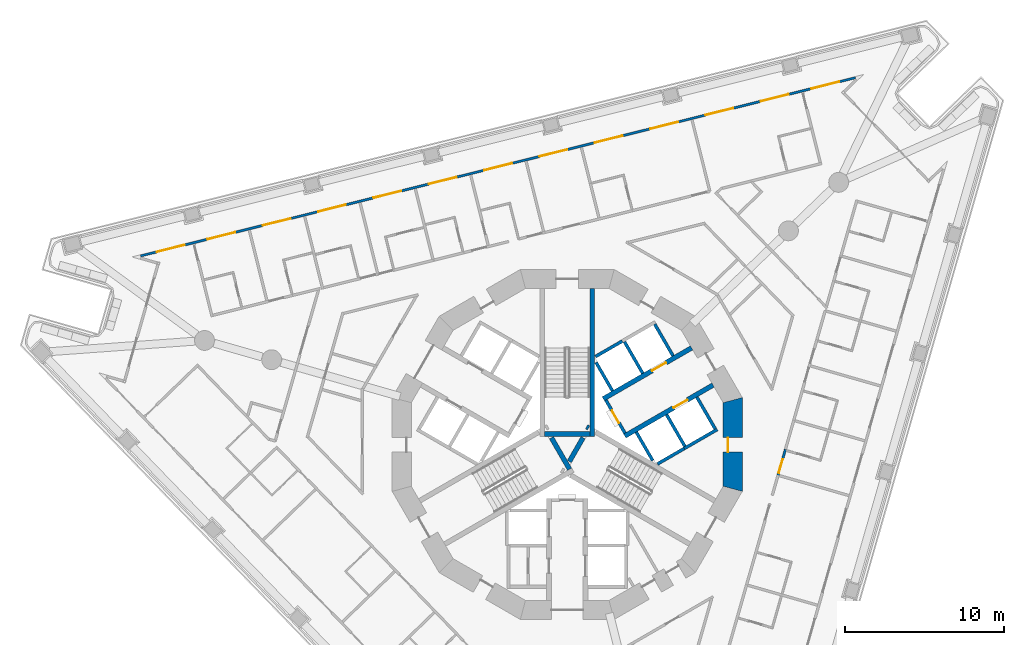
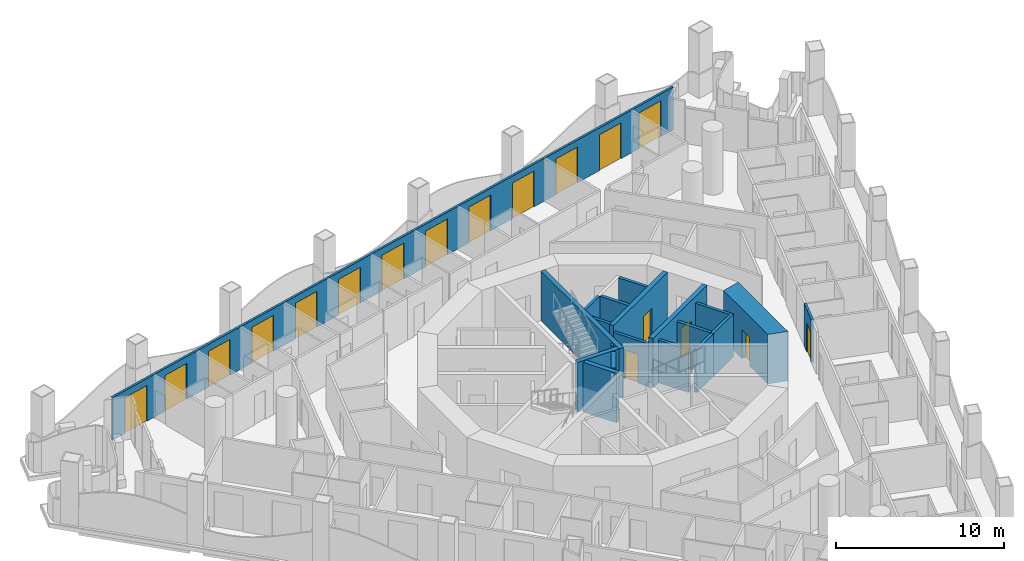
# One storey, part 9 of 20: 20 walls, 18 doors, 18 openings.
"""IFC4 building model written with IfcOpenShell, lengths in metres."""

from ifc_helpers import new_model, si_unit, direction, frame, frame_2d, origin, place, context, subcontext, project, spatial, polyline, rectangle, outline, extrude, material, layer, layer_set, type_object, element, fill, save


model = new_model("IFC4")

# Units and contexts
model_context = context("Model", 3, precision=1e-05, world=origin(), true_north=direction((0.0, 1.0)))
body_context = subcontext(model_context, "Body", "Model", "MODEL_VIEW")
ifc_project = project(units=[si_unit("LENGTHUNIT", "METRE"), si_unit("AREAUNIT", "SQUARE_METRE"), si_unit("VOLUMEUNIT", "CUBIC_METRE"), si_unit("PLANEANGLEUNIT", "RADIAN"), si_unit("MASSUNIT", "GRAM", prefix="KILO")], contexts=[model_context])

# Site, building, storey
site_placement = place(None, origin())
site = spatial("IfcSite", under=ifc_project, at=site_placement, CompositionType="ELEMENT")
building_placement = place(site_placement, origin())
building = spatial("IfcBuilding", under=site, at=building_placement, Name="Trine Commons Tower", CompositionType="ELEMENT")
storey_placement = place(building_placement, frame((0.0, 0.0, 116.10009765625)))
storey = spatial("IfcBuildingStorey", under=building, at=storey_placement, Name="L29", CompositionType="ELEMENT", Elevation=116.10009765625)

# Wall, openings, doors
ifc_material_1 = material(Name="Aluminium-framed insulated wall panel", Category="aluminium")
ifc_layer_1 = layer(ifc_material_1, 0.14990234375)
ifc_layer_set_1 = layer_set([ifc_layer_1], Name="Aluminium-framed insulated wall panel")
wall_type_1 = type_object("IfcWallType", Name="Glazed frame wall 150, EI 60", PredefinedType="SOLIDWALL", material=ifc_layer_set_1)
wall_1_placement = place(storey_placement, frame((53.01416015625, 74.326904296875, 0.0), z_axis=(0.0, 0.0, 1.0), x_axis=(0.970295935704, 0.24192105563, 0.0)))
wall_1 = element("IfcWall", 1, at=wall_1_placement, inside=storey, type_object=wall_type_1, Name="Glazed frame wall F1", PredefinedType="SOLIDWALL", context=body_context, shape_type="SweptSolid", body=[
    extrude(outline(polyline([(0.1494140625, 0.074951171875), (0.1494140625, -0.074951171875), (46.496826171875, -0.074951171875), (46.496826171875, 0.074951171875), (0.1494140625, 0.074951171875)])), origin(), (0.0, 0.0, 1.0), 3.099853515625),
])
opening_1_placement = place(wall_1_placement, frame((1.194091796875, 0.0, 0.0)))
opening_1 = element("IfcOpeningElement", 2, at=opening_1_placement, cuts=wall_1, Name="Opening BD-3F1-01", PredefinedType="OPENING", context=body_context, shape_type="SweptSolid", body=[
    extrude(rectangle(XDim=1.800048828125, YDim=2.60009765625, at=frame_2d((0.89990234375, 1.300048828125))), frame((0.0, 0.0849609375, 0.0), z_axis=(0.0, -1.0, 0.0), x_axis=(1.0, 0.0, 0.0)), (0.0, 0.0, 1.0), 0.169921875),
])
opening_2_placement = place(wall_1_placement, frame((4.482421875, 0.0, 0.0)))
opening_2 = element("IfcOpeningElement", 3, at=opening_2_placement, cuts=wall_1, Name="Opening BD-3F1-02", PredefinedType="OPENING", context=body_context, shape_type="SweptSolid", body=[
    extrude(rectangle(XDim=1.800048828125, YDim=2.60009765625, at=frame_2d((0.89990234375, 1.300048828125))), frame((0.0, 0.0849609375, 0.0), z_axis=(0.0, -1.0, 0.0), x_axis=(1.0, 0.0, 0.0)), (0.0, 0.0, 1.0), 0.169921875),
])
opening_3_placement = place(wall_1_placement, frame((8.070556640625, 0.0, 0.0)))
opening_3 = element("IfcOpeningElement", 4, at=opening_3_placement, cuts=wall_1, Name="Opening BD-3F1-03", PredefinedType="OPENING", context=body_context, shape_type="SweptSolid", body=[
    extrude(rectangle(XDim=1.800048828125, YDim=2.60009765625, at=frame_2d((0.89990234375, 1.300048828125))), frame((0.0, 0.0849609375, 0.0), z_axis=(0.0, -1.0, 0.0), x_axis=(1.0, 0.0, 0.0)), (0.0, 0.0, 1.0), 0.169921875),
])
opening_4_placement = place(wall_1_placement, frame((11.65869140625, 0.0, 0.0)))
opening_4 = element("IfcOpeningElement", 5, at=opening_4_placement, cuts=wall_1, Name="Opening BD-3F1-04", PredefinedType="OPENING", context=body_context, shape_type="SweptSolid", body=[
    extrude(rectangle(XDim=1.800048828125, YDim=2.60009765625, at=frame_2d((0.89990234375, 1.300048828125))), frame((0.0, 0.0849609375, 0.0), z_axis=(0.0, -1.0, 0.0), x_axis=(1.0, 0.0, 0.0)), (0.0, 0.0, 1.0), 0.169921875),
])
opening_5_placement = place(wall_1_placement, frame((15.246826171875, 0.0, 0.0)))
opening_5 = element("IfcOpeningElement", 6, at=opening_5_placement, cuts=wall_1, Name="Opening BD-3F1-05", PredefinedType="OPENING", context=body_context, shape_type="SweptSolid", body=[
    extrude(rectangle(XDim=1.800048828125, YDim=2.60009765625, at=frame_2d((0.89990234375, 1.300048828125))), frame((0.0, 0.0849609375, 0.0), z_axis=(0.0, -1.0, 0.0), x_axis=(1.0, 0.0, 0.0)), (0.0, 0.0, 1.0), 0.169921875),
])
opening_6_placement = place(wall_1_placement, frame((18.835205078125, 0.0, 0.0)))
opening_6 = element("IfcOpeningElement", 7, at=opening_6_placement, cuts=wall_1, Name="Opening BD-3F1-06", PredefinedType="OPENING", context=body_context, shape_type="SweptSolid", body=[
    extrude(rectangle(XDim=1.800048828125, YDim=2.60009765625, at=frame_2d((0.89990234375, 1.300048828125))), frame((0.0, 0.0849609375, 0.0), z_axis=(0.0, -1.0, 0.0), x_axis=(1.0, 0.0, 0.0)), (0.0, 0.0, 1.0), 0.169921875),
])
opening_7_placement = place(wall_1_placement, frame((22.42333984375, 0.0, 0.0)))
opening_7 = element("IfcOpeningElement", 8, at=opening_7_placement, cuts=wall_1, Name="Opening BD-3F1-07", PredefinedType="OPENING", context=body_context, shape_type="SweptSolid", body=[
    extrude(rectangle(XDim=1.800048828125, YDim=2.60009765625, at=frame_2d((0.89990234375, 1.300048828125))), frame((0.0, 0.0849609375, 0.0), z_axis=(0.0, -1.0, 0.0), x_axis=(1.0, 0.0, 0.0)), (0.0, 0.0, 1.0), 0.169921875),
])
opening_8_placement = place(wall_1_placement, frame((26.011474609375, 0.0, 0.0)))
opening_8 = element("IfcOpeningElement", 9, at=opening_8_placement, cuts=wall_1, Name="Opening BD-3F1-08", PredefinedType="OPENING", context=body_context, shape_type="SweptSolid", body=[
    extrude(rectangle(XDim=1.800048828125, YDim=2.60009765625, at=frame_2d((0.89990234375, 1.300048828125))), frame((0.0, 0.0849609375, 0.0), z_axis=(0.0, -1.0, 0.0), x_axis=(1.0, 0.0, 0.0)), (0.0, 0.0, 1.0), 0.169921875),
])
opening_9_placement = place(wall_1_placement, frame((29.599609375, 0.0, 0.0)))
opening_9 = element("IfcOpeningElement", 10, at=opening_9_placement, cuts=wall_1, Name="Opening BD-3F1-09", PredefinedType="OPENING", context=body_context, shape_type="SweptSolid", body=[
    extrude(rectangle(XDim=1.800048828125, YDim=2.60009765625, at=frame_2d((0.89990234375, 1.300048828125))), frame((0.0, 0.0849609375, 0.0), z_axis=(0.0, -1.0, 0.0), x_axis=(1.0, 0.0, 0.0)), (0.0, 0.0, 1.0), 0.169921875),
])
opening_10_placement = place(wall_1_placement, frame((33.18798828125, 0.0, 0.0)))
opening_10 = element("IfcOpeningElement", 11, at=opening_10_placement, cuts=wall_1, Name="Opening BD-3F1-10", PredefinedType="OPENING", context=body_context, shape_type="SweptSolid", body=[
    extrude(rectangle(XDim=1.800048828125, YDim=2.60009765625, at=frame_2d((0.89990234375, 1.300048828125))), frame((0.0, 0.0849609375, 0.0), z_axis=(0.0, -1.0, 0.0), x_axis=(1.0, 0.0, 0.0)), (0.0, 0.0, 1.0), 0.169921875),
])
opening_11_placement = place(wall_1_placement, frame((36.776123046875, 0.0, 0.0)))
opening_11 = element("IfcOpeningElement", 12, at=opening_11_placement, cuts=wall_1, Name="Opening BD-3F1-11", PredefinedType="OPENING", context=body_context, shape_type="SweptSolid", body=[
    extrude(rectangle(XDim=1.800048828125, YDim=2.60009765625, at=frame_2d((0.89990234375, 1.300048828125))), frame((0.0, 0.0849609375, 0.0), z_axis=(0.0, -1.0, 0.0), x_axis=(1.0, 0.0, 0.0)), (0.0, 0.0, 1.0), 0.169921875),
])
opening_12_placement = place(wall_1_placement, frame((40.3642578125, 0.0, 0.0)))
opening_12 = element("IfcOpeningElement", 13, at=opening_12_placement, cuts=wall_1, Name="Opening BD-3F1-12", PredefinedType="OPENING", context=body_context, shape_type="SweptSolid", body=[
    extrude(rectangle(XDim=1.800048828125, YDim=2.60009765625, at=frame_2d((0.89990234375, 1.300048828125))), frame((0.0, 0.0849609375, 0.0), z_axis=(0.0, -1.0, 0.0), x_axis=(1.0, 0.0, 0.0)), (0.0, 0.0, 1.0), 0.169921875),
])
opening_13_placement = place(wall_1_placement, frame((43.652587890625, 0.0, 0.0)))
opening_13 = element("IfcOpeningElement", 14, at=opening_13_placement, cuts=wall_1, Name="Opening BD-3F1-13", PredefinedType="OPENING", context=body_context, shape_type="SweptSolid", body=[
    extrude(rectangle(XDim=1.800048828125, YDim=2.60009765625, at=frame_2d((0.89990234375, 1.300048828125))), frame((0.0, 0.0849609375, 0.0), z_axis=(0.0, -1.0, 0.0), x_axis=(1.0, 0.0, 0.0)), (0.0, 0.0, 1.0), 0.169921875),
])
ifc_material_2 = material(Name="Anodised aluminium frame with double glazing", Category="aluminium")
door_type_1 = type_object("IfcDoorType", Name="Sliding loggia door 1800x2600", OperationType="SLIDING_TO_LEFT", PredefinedType="DOOR", material=ifc_material_2)
door_1_placement = place(opening_1_placement, origin())
door_1 = element("IfcDoor", 15, at=door_1_placement, inside=storey, type_object=door_type_1, Name="Loggia door F1 1", OperationType="SLIDING_TO_LEFT", OverallHeight=2.60009765625, OverallWidth=1.800048828125, PredefinedType="DOOR", context=body_context, shape_type="SweptSolid", body=[
    extrude(rectangle(XDim=1.800048828125, YDim=2.60009765625, at=frame_2d((0.89990234375, 1.300048828125))), frame((0.0, 0.02490234375, 0.0), z_axis=(0.0, -1.0, 0.0), x_axis=(1.0, 0.0, 0.0)), (0.0, 0.0, 1.0), 0.050048828125),
])
fill(opening_1, door_1)
door_2_placement = place(opening_2_placement, origin())
door_2 = element("IfcDoor", 16, at=door_2_placement, inside=storey, type_object=door_type_1, Name="Loggia door F1 2", OperationType="SLIDING_TO_LEFT", OverallHeight=2.60009765625, OverallWidth=1.800048828125, PredefinedType="DOOR", context=body_context, shape_type="SweptSolid", body=[
    extrude(rectangle(XDim=1.800048828125, YDim=2.60009765625, at=frame_2d((0.89990234375, 1.300048828125))), frame((0.0, 0.02490234375, 0.0), z_axis=(0.0, -1.0, 0.0), x_axis=(1.0, 0.0, 0.0)), (0.0, 0.0, 1.0), 0.050048828125),
])
fill(opening_2, door_2)
door_3_placement = place(opening_3_placement, origin())
door_3 = element("IfcDoor", 17, at=door_3_placement, inside=storey, type_object=door_type_1, Name="Loggia door F1 3", OperationType="SLIDING_TO_LEFT", OverallHeight=2.60009765625, OverallWidth=1.800048828125, PredefinedType="DOOR", context=body_context, shape_type="SweptSolid", body=[
    extrude(rectangle(XDim=1.800048828125, YDim=2.60009765625, at=frame_2d((0.89990234375, 1.300048828125))), frame((0.0, 0.02490234375, 0.0), z_axis=(0.0, -1.0, 0.0), x_axis=(1.0, 0.0, 0.0)), (0.0, 0.0, 1.0), 0.050048828125),
])
fill(opening_3, door_3)
door_4_placement = place(opening_4_placement, origin())
door_4 = element("IfcDoor", 18, at=door_4_placement, inside=storey, type_object=door_type_1, Name="Loggia door F1 4", OperationType="SLIDING_TO_LEFT", OverallHeight=2.60009765625, OverallWidth=1.800048828125, PredefinedType="DOOR", context=body_context, shape_type="SweptSolid", body=[
    extrude(rectangle(XDim=1.800048828125, YDim=2.60009765625, at=frame_2d((0.89990234375, 1.300048828125))), frame((0.0, 0.02490234375, 0.0), z_axis=(0.0, -1.0, 0.0), x_axis=(1.0, 0.0, 0.0)), (0.0, 0.0, 1.0), 0.050048828125),
])
fill(opening_4, door_4)
door_5_placement = place(opening_5_placement, origin())
door_5 = element("IfcDoor", 19, at=door_5_placement, inside=storey, type_object=door_type_1, Name="Loggia door F1 5", OperationType="SLIDING_TO_LEFT", OverallHeight=2.60009765625, OverallWidth=1.800048828125, PredefinedType="DOOR", context=body_context, shape_type="SweptSolid", body=[
    extrude(rectangle(XDim=1.800048828125, YDim=2.60009765625, at=frame_2d((0.89990234375, 1.300048828125))), frame((0.0, 0.02490234375, 0.0), z_axis=(0.0, -1.0, 0.0), x_axis=(1.0, 0.0, 0.0)), (0.0, 0.0, 1.0), 0.050048828125),
])
fill(opening_5, door_5)
door_6_placement = place(opening_6_placement, origin())
door_6 = element("IfcDoor", 20, at=door_6_placement, inside=storey, type_object=door_type_1, Name="Loggia door F1 6", OperationType="SLIDING_TO_LEFT", OverallHeight=2.60009765625, OverallWidth=1.800048828125, PredefinedType="DOOR", context=body_context, shape_type="SweptSolid", body=[
    extrude(rectangle(XDim=1.800048828125, YDim=2.60009765625, at=frame_2d((0.89990234375, 1.300048828125))), frame((0.0, 0.02490234375, 0.0), z_axis=(0.0, -1.0, 0.0), x_axis=(1.0, 0.0, 0.0)), (0.0, 0.0, 1.0), 0.050048828125),
])
fill(opening_6, door_6)
door_7_placement = place(opening_7_placement, origin())
door_7 = element("IfcDoor", 21, at=door_7_placement, inside=storey, type_object=door_type_1, Name="Loggia door F1 7", OperationType="SLIDING_TO_LEFT", OverallHeight=2.60009765625, OverallWidth=1.800048828125, PredefinedType="DOOR", context=body_context, shape_type="SweptSolid", body=[
    extrude(rectangle(XDim=1.800048828125, YDim=2.60009765625, at=frame_2d((0.89990234375, 1.300048828125))), frame((0.0, 0.02490234375, 0.0), z_axis=(0.0, -1.0, 0.0), x_axis=(1.0, 0.0, 0.0)), (0.0, 0.0, 1.0), 0.050048828125),
])
fill(opening_7, door_7)
door_8_placement = place(opening_8_placement, origin())
door_8 = element("IfcDoor", 22, at=door_8_placement, inside=storey, type_object=door_type_1, Name="Loggia door F1 8", OperationType="SLIDING_TO_LEFT", OverallHeight=2.60009765625, OverallWidth=1.800048828125, PredefinedType="DOOR", context=body_context, shape_type="SweptSolid", body=[
    extrude(rectangle(XDim=1.800048828125, YDim=2.60009765625, at=frame_2d((0.89990234375, 1.300048828125))), frame((0.0, 0.02490234375, 0.0), z_axis=(0.0, -1.0, 0.0), x_axis=(1.0, 0.0, 0.0)), (0.0, 0.0, 1.0), 0.050048828125),
])
fill(opening_8, door_8)
door_9_placement = place(opening_9_placement, origin())
door_9 = element("IfcDoor", 23, at=door_9_placement, inside=storey, type_object=door_type_1, Name="Loggia door F1 9", OperationType="SLIDING_TO_LEFT", OverallHeight=2.60009765625, OverallWidth=1.800048828125, PredefinedType="DOOR", context=body_context, shape_type="SweptSolid", body=[
    extrude(rectangle(XDim=1.800048828125, YDim=2.60009765625, at=frame_2d((0.89990234375, 1.300048828125))), frame((0.0, 0.02490234375, 0.0), z_axis=(0.0, -1.0, 0.0), x_axis=(1.0, 0.0, 0.0)), (0.0, 0.0, 1.0), 0.050048828125),
])
fill(opening_9, door_9)
door_10_placement = place(opening_10_placement, origin())
door_10 = element("IfcDoor", 24, at=door_10_placement, inside=storey, type_object=door_type_1, Name="Loggia door F1 10", OperationType="SLIDING_TO_LEFT", OverallHeight=2.60009765625, OverallWidth=1.800048828125, PredefinedType="DOOR", context=body_context, shape_type="SweptSolid", body=[
    extrude(rectangle(XDim=1.800048828125, YDim=2.60009765625, at=frame_2d((0.89990234375, 1.300048828125))), frame((0.0, 0.02490234375, 0.0), z_axis=(0.0, -1.0, 0.0), x_axis=(1.0, 0.0, 0.0)), (0.0, 0.0, 1.0), 0.050048828125),
])
fill(opening_10, door_10)
door_11_placement = place(opening_11_placement, origin())
door_11 = element("IfcDoor", 25, at=door_11_placement, inside=storey, type_object=door_type_1, Name="Loggia door F1 11", OperationType="SLIDING_TO_LEFT", OverallHeight=2.60009765625, OverallWidth=1.800048828125, PredefinedType="DOOR", context=body_context, shape_type="SweptSolid", body=[
    extrude(rectangle(XDim=1.800048828125, YDim=2.60009765625, at=frame_2d((0.89990234375, 1.300048828125))), frame((0.0, 0.02490234375, 0.0), z_axis=(0.0, -1.0, 0.0), x_axis=(1.0, 0.0, 0.0)), (0.0, 0.0, 1.0), 0.050048828125),
])
fill(opening_11, door_11)
door_12_placement = place(opening_12_placement, origin())
door_12 = element("IfcDoor", 26, at=door_12_placement, inside=storey, type_object=door_type_1, Name="Loggia door F1 12", OperationType="SLIDING_TO_LEFT", OverallHeight=2.60009765625, OverallWidth=1.800048828125, PredefinedType="DOOR", context=body_context, shape_type="SweptSolid", body=[
    extrude(rectangle(XDim=1.800048828125, YDim=2.60009765625, at=frame_2d((0.89990234375, 1.300048828125))), frame((0.0, 0.02490234375, 0.0), z_axis=(0.0, -1.0, 0.0), x_axis=(1.0, 0.0, 0.0)), (0.0, 0.0, 1.0), 0.050048828125),
])
fill(opening_12, door_12)
door_13_placement = place(opening_13_placement, origin())
door_13 = element("IfcDoor", 27, at=door_13_placement, inside=storey, type_object=door_type_1, Name="Loggia door F1 13", OperationType="SLIDING_TO_LEFT", OverallHeight=2.60009765625, OverallWidth=1.800048828125, PredefinedType="DOOR", context=body_context, shape_type="SweptSolid", body=[
    extrude(rectangle(XDim=1.800048828125, YDim=2.60009765625, at=frame_2d((0.89990234375, 1.300048828125))), frame((0.0, 0.02490234375, 0.0), z_axis=(0.0, -1.0, 0.0), x_axis=(1.0, 0.0, 0.0)), (0.0, 0.0, 1.0), 0.050048828125),
])
fill(opening_13, door_13)

# Wall, opening, door
ifc_material_3 = material(Name="Fire-rated gypsum shaft wall system")
ifc_layer_2 = layer(ifc_material_3, 0.199951171875)
ifc_layer_set_2 = layer_set([ifc_layer_2], Name="Fire-rated gypsum shaft wall system")
wall_type_2 = type_object("IfcWallType", Name="Lobby end wall 200 mm, EI 120", PredefinedType="PARTITIONING", material=ifc_layer_set_2)
wall_2_placement = place(storey_placement, frame((83.631103515625, 63.2109375, 0.0), z_axis=(0.0, 0.0, 1.0), x_axis=(-0.50012165622, 0.865955154139, 0.0)))
wall_2 = element("IfcWall", 28, at=wall_2_placement, inside=storey, type_object=wall_type_2, Name="Lobby end wall L29", PredefinedType="PARTITIONING", context=body_context, shape_type="SweptSolid", body=[
    extrude(rectangle(XDim=2.39990234375, YDim=0.199951171875, at=frame_2d((1.199951171875, 0.0))), origin(), (0.0, 0.0, 1.0), 3.099853515625),
])
opening_14_placement = place(wall_2_placement, frame((0.749755859375, 0.0, 0.0)))
opening_14 = element("IfcOpeningElement", 29, at=opening_14_placement, cuts=wall_2, Name="Opening K04.05", PredefinedType="OPENING", context=body_context, shape_type="SweptSolid", body=[
    extrude(rectangle(XDim=0.89990234375, YDim=2.10009765625, at=frame_2d((0.449951171875, 1.050048828125))), frame((0.0, 0.10986328125, 0.0), z_axis=(0.0, -1.0, 0.0), x_axis=(1.0, 0.0, 0.0)), (0.0, 0.0, 1.0), 0.219970703125),
])
ifc_material_4 = material(Name="Steel door leaf, fire-rated", Category="steel")
door_type_2 = type_object("IfcDoorType", Name="Riser access door, single leaf 900 x 2100, FD60", OperationType="SINGLE_SWING_LEFT", PredefinedType="DOOR", material=ifc_material_4)
door_14_placement = place(opening_14_placement, frame((0.89990234375, 0.0, 0.0), z_axis=(0.0, 0.0, 1.0), x_axis=(-1.0, 0.0, 0.0)))
door_14 = element("IfcDoor", 30, at=door_14_placement, inside=storey, type_object=door_type_2, Name="Riser door, Electrical riser L29", OperationType="SINGLE_SWING_LEFT", OverallHeight=2.10009765625, OverallWidth=0.89990234375, PredefinedType="DOOR", context=body_context, shape_type="SweptSolid", body=[
    extrude(rectangle(XDim=0.89990234375, YDim=2.10009765625, at=frame_2d((0.449951171875, 1.050048828125))), frame((0.0, 0.02490234375, 0.0), z_axis=(0.0, -1.0, 0.0), x_axis=(1.0, 0.0, 0.0)), (0.0, 0.0, 1.0), 0.050048828125),
])
fill(opening_14, door_14)

ifc_material_5 = material(Name="Concrete C70/85", Category="concrete")
ifc_layer_3 = layer(ifc_material_5, 1.199951171875)
ifc_layer_set_3 = layer_set([ifc_layer_3], Name="Concrete C70/85")
wall_type_3 = type_object("IfcWallType", Name="RC shear wall 1200 mm, C70/85", PredefinedType="SHEAR", material=ifc_layer_set_3)
wall_3_placement = place(storey_placement, frame((90.41162109375, 59.549560546875, 0.0), z_axis=(0.0, 0.0, 1.0), x_axis=(0.0, 1.0, 0.0)))
wall_3 = element("IfcWall", 31, at=wall_3_placement, inside=storey, type_object=wall_type_3, Name="Core wall CWC-01 L29", PredefinedType="SHEAR", context=body_context, shape_type="SweptSolid", body=[
    extrude(outline(polyline([(0.0, -0.60009765625), (5.90087890625, -0.60009765625), (5.57958984375, 0.60009765625), (0.321533203125, 0.60009765625), (0.0, -0.60009765625)])), origin(), (0.0, 0.0, 1.0), 3.599853515625),
])
opening_15_placement = place(wall_3_placement, frame((2.4755859375, 0.0, 0.0)))
opening_15 = element("IfcOpeningElement", 32, at=opening_15_placement, cuts=wall_3, Name="Opening K04.18", PredefinedType="OPENING", context=body_context, shape_type="SweptSolid", body=[
    extrude(rectangle(XDim=0.89990234375, YDim=2.10009765625, at=frame_2d((0.449951171875, 1.050048828125))), frame((0.0, 0.60986328125, 0.0), z_axis=(0.0, -1.0, 0.0), x_axis=(1.0, 0.0, 0.0)), (0.0, 0.0, 1.0), 1.219970703125),
])
door_type_3 = type_object("IfcDoorType", Name="Core room door, single leaf 900 x 2100, FD30S", OperationType="SINGLE_SWING_LEFT", PredefinedType="DOOR", material=ifc_material_4)
door_15_placement = place(opening_15_placement, origin())
door_15 = element("IfcDoor", 33, at=door_15_placement, inside=storey, type_object=door_type_3, Name="Door to Parcel store L29", OperationType="SINGLE_SWING_LEFT", OverallHeight=2.10009765625, OverallWidth=0.89990234375, PredefinedType="DOOR", context=body_context, shape_type="SweptSolid", body=[
    extrude(rectangle(XDim=0.89990234375, YDim=2.10009765625, at=frame_2d((0.449951171875, 1.050048828125))), frame((0.0, 0.3251953125, 0.0), z_axis=(0.0, -1.0, 0.0), x_axis=(1.0, 0.0, 0.0)), (0.0, 0.0, 1.0), 0.050048828125),
])
fill(opening_15, door_15)

ifc_layer_4 = layer(ifc_material_5, 0.300048828125)
ifc_layer_set_4 = layer_set([ifc_layer_4], Name="Concrete C70/85")
wall_type_4 = type_object("IfcWallType", Name="RC shear wall 300 mm, C70/85", PredefinedType="SHEAR", material=ifc_layer_set_4)
wall_4_placement = place(storey_placement, frame((82.26904296875, 65.368896484375, 0.0), z_axis=(0.0, 0.0, 1.0), x_axis=(0.866022631842, 0.500004801114, 0.0)))
wall_4 = element("IfcWall", 34, at=wall_4_placement, inside=storey, type_object=wall_type_4, Name="Core cross wall SWA-05 L29", PredefinedType="SHEAR", context=body_context, shape_type="SweptSolid", body=[
    extrude(rectangle(XDim=6.412109375, YDim=0.300048828125, at=frame_2d((3.2060546875, 0.0))), origin(), (0.0, 0.0, 1.0), 3.599853515625),
])
opening_16_placement = place(wall_4_placement, frame((3.55029296875, 0.0, 0.0)))
opening_16 = element("IfcOpeningElement", 35, at=opening_16_placement, cuts=wall_4, Name="Opening LD1", PredefinedType="OPENING", context=body_context, shape_type="SweptSolid", body=[
    extrude(rectangle(XDim=1.0, YDim=2.10009765625, at=frame_2d((0.5, 1.050048828125))), frame((0.0, 0.159912109375, 0.0), z_axis=(0.0, -1.0, 0.0), x_axis=(1.0, 0.0, 0.0)), (0.0, 0.0, 1.0), 0.320068359375),
])
ifc_material_6 = material(Name="Stainless steel sliding door leaves", Category="steel")
door_type_4 = type_object("IfcDoorType", Name="Lift landing door, centre-opening sliding 1000 x 2100, FD90", OperationType="DOUBLE_DOOR_SLIDING", PredefinedType="DOOR", material=ifc_material_6)
door_16_placement = place(opening_16_placement, origin())
door_16 = element("IfcDoor", 36, at=door_16_placement, inside=storey, type_object=door_type_4, Name="Lift landing door LR1 L29", OperationType="DOUBLE_DOOR_SLIDING", OverallHeight=2.10009765625, OverallWidth=1.0, PredefinedType="DOOR", context=body_context, shape_type="SweptSolid", body=[
    extrude(rectangle(XDim=1.0, YDim=2.10009765625, at=frame_2d((0.5, 1.050048828125))), frame((0.0, 0.02490234375, 0.0), z_axis=(0.0, -1.0, 0.0), x_axis=(1.0, 0.0, 0.0)), (0.0, 0.0, 1.0), 0.050048828125),
])
fill(opening_16, door_16)

wall_5_placement = place(storey_placement, frame((83.618896484375, 63.031005859375, 0.0), z_axis=(0.0, 0.0, 1.0), x_axis=(0.866032150378, 0.499988314375, 0.0)))
wall_5 = element("IfcWall", 37, at=wall_5_placement, inside=storey, type_object=wall_type_4, Name="Core cross wall SWA-06 L29", PredefinedType="SHEAR", context=body_context, shape_type="SweptSolid", body=[
    extrude(rectangle(XDim=6.412353515625, YDim=0.300048828125, at=frame_2d((3.2060546875, 0.0))), origin(), (0.0, 0.0, 1.0), 3.599853515625),
])
opening_17_placement = place(wall_5_placement, frame((3.55029296875, 0.0, 0.0)))
opening_17 = element("IfcOpeningElement", 38, at=opening_17_placement, cuts=wall_5, Name="Opening LD2", PredefinedType="OPENING", context=body_context, shape_type="SweptSolid", body=[
    extrude(rectangle(XDim=1.0, YDim=2.10009765625, at=frame_2d((0.5, 1.050048828125))), frame((0.0, 0.159912109375, 0.0), z_axis=(0.0, -1.0, 0.0), x_axis=(1.0, 0.0, 0.0)), (0.0, 0.0, 1.0), 0.320068359375),
])
door_17_placement = place(opening_17_placement, origin())
door_17 = element("IfcDoor", 39, at=door_17_placement, inside=storey, type_object=door_type_4, Name="Lift landing door LR2 L29", OperationType="DOUBLE_DOOR_SLIDING", OverallHeight=2.10009765625, OverallWidth=1.0, PredefinedType="DOOR", context=body_context, shape_type="SweptSolid", body=[
    extrude(rectangle(XDim=1.0, YDim=2.10009765625, at=frame_2d((0.5, 1.050048828125))), frame((0.0, 0.02490234375, 0.0), z_axis=(0.0, -1.0, 0.0), x_axis=(1.0, 0.0, 0.0)), (0.0, 0.0, 1.0), 0.050048828125),
])
fill(opening_17, door_17)

# Walls
wall_6_placement = place(storey_placement, frame((79.0029296875, 62.926025390625, 0.0), z_axis=(0.0, 0.0, 1.0), x_axis=(0.499965247104, -0.866045467449, 0.0)))
element("IfcWall", 40, at=wall_6_placement, inside=storey, type_object=wall_type_4, Name="Core cross wall SWA-10 L29", PredefinedType="SHEAR", context=body_context, shape_type="SweptSolid", body=[
    extrude(rectangle(XDim=2.292236328125, YDim=0.300048828125, at=frame_2d((1.14599609375, 0.0))), origin(), (0.0, 0.0, 1.0), 3.599853515625),
])
wall_7_placement = place(storey_placement, frame((80.1298828125, 61.424072265625, 0.0), z_axis=(0.0, 0.0, 1.0), x_axis=(0.500014901547, 0.866016800201, 0.0)))
element("IfcWall", 41, at=wall_7_placement, inside=storey, type_object=wall_type_4, Name="Core cross wall SWA-12 L29", PredefinedType="SHEAR", context=body_context, shape_type="SweptSolid", body=[
    extrude(rectangle(XDim=1.734375, YDim=0.300048828125, at=frame_2d((0.8671875, 0.0))), origin(), (0.0, 0.0, 1.0), 3.599853515625),
])
wall_8_placement = place(storey_placement, frame((81.220947265625, 63.614013671875, 0.0), z_axis=(0.0, 0.0, 1.0), x_axis=(0.867737973955, -0.497021939713, 0.0)))
element("IfcWall", 42, at=wall_8_placement, inside=storey, type_object=wall_type_4, Name="Core cross wall SWA-15 L29", PredefinedType="SHEAR", context=body_context, shape_type="SweptSolid", body=[
    extrude(rectangle(XDim=0.14892578125, YDim=0.300048828125, at=frame_2d((0.074462890625, 0.0))), origin(), (0.0, 0.0, 1.0), 3.599853515625),
])
wall_9_placement = place(storey_placement, frame((81.425048828125, 63.15087890625, 0.0), z_axis=(0.0, 0.0, 1.0), x_axis=(-1.0, 0.0, 0.0)))
element("IfcWall", 43, at=wall_9_placement, inside=storey, type_object=wall_type_4, Name="Core cross wall SWA-16 L29", PredefinedType="SHEAR", context=body_context, shape_type="SweptSolid", body=[
    extrude(rectangle(XDim=2.85009765625, YDim=0.300048828125, at=frame_2d((1.425048828125, 0.0))), origin(), (0.0, 0.0, 1.0), 3.599853515625),
])
wall_10_placement = place(storey_placement, frame((81.574951171875, 63.0009765625, 0.0), z_axis=(0.0, 0.0, 1.0), x_axis=(0.0, 1.0, 0.0)))
element("IfcWall", 44, at=wall_10_placement, inside=storey, type_object=wall_type_4, Name="Core cross wall SWA-17 L29", PredefinedType="SHEAR", context=body_context, shape_type="SweptSolid", body=[
    extrude(rectangle(XDim=9.31103515625, YDim=0.300048828125, at=frame_2d((4.655517578125, 0.0))), origin(), (0.0, 0.0, 1.0), 3.599853515625),
])
ifc_layer_5 = layer(ifc_material_3, 0.199951171875)
ifc_layer_set_5 = layer_set([ifc_layer_5], Name="Fire-rated gypsum shaft wall system")
wall_type_5 = type_object("IfcWallType", Name="Shaft wall 200 mm, EI 120", PredefinedType="PARTITIONING", material=ifc_layer_set_5)
wall_11_placement = place(storey_placement, frame((81.77490234375, 68.028076171875, 0.0), z_axis=(0.0, 0.0, 1.0), x_axis=(0.866052014814, 0.499953905513, 0.0)))
element("IfcWall", 45, at=wall_11_placement, inside=storey, type_object=wall_type_5, Name="Shaft wall L29", PredefinedType="PARTITIONING", context=body_context, shape_type="SweptSolid", body=[
    extrude(rectangle(XDim=1.947998046875, YDim=0.199951171875, at=frame_2d((0.97412109375, 0.0))), origin(), (0.0, 0.0, 1.0), 3.099853515625),
])
wall_12_placement = place(storey_placement, frame((82.843994140625, 65.8740234375, 0.0), z_axis=(0.0, 0.0, 1.0), x_axis=(-0.499865770674, 0.866102887253, 0.0)))
element("IfcWall", 46, at=wall_12_placement, inside=storey, type_object=wall_type_5, Name="Shaft wall L29", PredefinedType="PARTITIONING", context=body_context, shape_type="SweptSolid", body=[
    extrude(rectangle(XDim=2.064453125, YDim=0.199951171875, at=frame_2d((1.0322265625, 0.0))), origin(), (0.0, 0.0, 1.0), 3.099853515625),
])
wall_13_placement = place(storey_placement, frame((84.343994140625, 63.27587890625, 0.0), z_axis=(0.0, 0.0, 1.0), x_axis=(0.500271688072, -0.86586848777, 0.0)))
element("IfcWall", 47, at=wall_13_placement, inside=storey, type_object=wall_type_5, Name="Shaft wall L29", PredefinedType="PARTITIONING", context=body_context, shape_type="SweptSolid", body=[
    extrude(rectangle(XDim=2.064697265625, YDim=0.199951171875, at=frame_2d((1.0322265625, 0.0))), origin(), (0.0, 0.0, 1.0), 3.099853515625),
])
wall_14_placement = place(storey_placement, frame((84.7490234375, 66.97412109375, 0.0), z_axis=(0.0, 0.0, 1.0), x_axis=(-0.500136062276, 0.86594683394, 0.0)))
element("IfcWall", 48, at=wall_14_placement, inside=storey, type_object=wall_type_5, Name="Shaft wall L29", PredefinedType="PARTITIONING", context=body_context, shape_type="SweptSolid", body=[
    extrude(rectangle(XDim=2.299072265625, YDim=0.199951171875, at=frame_2d((1.1494140625, 0.0))), origin(), (0.0, 0.0, 1.0), 3.099853515625),
])
wall_15_placement = place(storey_placement, frame((85.675048828125, 61.27294921875, 0.0), z_axis=(0.0, 0.0, 1.0), x_axis=(0.865780634835, 0.500423712812, 0.0)))
element("IfcWall", 49, at=wall_15_placement, inside=storey, type_object=wall_type_5, Name="Shaft wall L29", PredefinedType="PARTITIONING", context=body_context, shape_type="SweptSolid", body=[
    extrude(rectangle(XDim=1.948486328125, YDim=0.199951171875, at=frame_2d((0.97412109375, 0.0))), origin(), (0.0, 0.0, 1.0), 3.099853515625),
])
wall_16_placement = place(storey_placement, frame((86.2490234375, 64.3759765625, 0.0), z_axis=(0.0, 0.0, 1.0), x_axis=(0.500136062276, -0.86594683394, 0.0)))
element("IfcWall", 50, at=wall_16_placement, inside=storey, type_object=wall_type_5, Name="Shaft wall L29", PredefinedType="PARTITIONING", context=body_context, shape_type="SweptSolid", body=[
    extrude(rectangle(XDim=2.299072265625, YDim=0.199951171875, at=frame_2d((1.1494140625, 0.0))), origin(), (0.0, 0.0, 1.0), 3.099853515625),
])
wall_17_placement = place(storey_placement, frame((86.655029296875, 68.073974609375, 0.0), z_axis=(0.0, 0.0, 1.0), x_axis=(-0.500215680983, 0.865900844496, 0.0)))
element("IfcWall", 51, at=wall_17_placement, inside=storey, type_object=wall_type_5, Name="Shaft wall L29", PredefinedType="PARTITIONING", context=body_context, shape_type="SweptSolid", body=[
    extrude(rectangle(XDim=2.29931640625, YDim=0.199951171875, at=frame_2d((1.149658203125, 0.0))), origin(), (0.0, 0.0, 1.0), 3.099853515625),
])
wall_18_placement = place(storey_placement, frame((87.362060546875, 62.248046875, 0.0), z_axis=(0.0, 0.0, 1.0), x_axis=(0.866177122335, 0.499737123639, 0.0)))
element("IfcWall", 52, at=wall_18_placement, inside=storey, type_object=wall_type_5, Name="Shaft wall L29", PredefinedType="PARTITIONING", context=body_context, shape_type="SweptSolid", body=[
    extrude(rectangle(XDim=2.401123046875, YDim=0.199951171875, at=frame_2d((1.20068359375, 0.0))), origin(), (0.0, 0.0, 1.0), 3.099853515625),
])
wall_19_placement = place(storey_placement, frame((88.155029296875, 65.47607421875, 0.0), z_axis=(0.0, 0.0, 1.0), x_axis=(0.500136062276, -0.86594683394, 0.0)))
element("IfcWall", 53, at=wall_19_placement, inside=storey, type_object=wall_type_5, Name="Shaft wall L29", PredefinedType="PARTITIONING", context=body_context, shape_type="SweptSolid", body=[
    extrude(rectangle(XDim=2.299072265625, YDim=0.199951171875, at=frame_2d((1.1494140625, 0.0))), origin(), (0.0, 0.0, 1.0), 3.099853515625),
])

# Wall, opening, door
ifc_material_7 = material(Name="Gypsum plasterboard on steel stud", Category="steel")
ifc_layer_6 = layer(ifc_material_7, 0.14990234375)
ifc_layer_set_6 = layer_set([ifc_layer_6], Name="Gypsum plasterboard on steel stud")
wall_type_6 = type_object("IfcWallType", Name="Unit and corridor wall 150 mm, EI 60", PredefinedType="PARTITIONING", material=ifc_layer_set_6)
wall_20_placement = place(storey_placement, frame((93.240478515625, 60.48779296875, 0.0), z_axis=(0.0, 0.0, 1.0), x_axis=(0.275194545337, 0.961388559437, 0.0)))
wall_20 = element("IfcWall", 54, at=wall_20_placement, inside=storey, type_object=wall_type_6, Name="Partition 130", PredefinedType="PARTITIONING", context=body_context, shape_type="SweptSolid", body=[
    extrude(rectangle(XDim=1.770751953125, YDim=0.14990234375, at=frame_2d((0.88525390625, 0.0))), origin(), (0.0, 0.0, 1.0), 3.099853515625),
])
opening_18_placement = place(wall_20_placement, frame((0.228759765625, 0.0, 0.0)))
opening_18 = element("IfcOpeningElement", 55, at=opening_18_placement, cuts=wall_20, Name="Opening D-3C20", PredefinedType="OPENING", context=body_context, shape_type="SweptSolid", body=[
    extrude(rectangle(XDim=0.89990234375, YDim=2.10009765625, at=frame_2d((0.449951171875, 1.050048828125))), frame((0.0, 0.0849609375, 0.0), z_axis=(0.0, -1.0, 0.0), x_axis=(1.0, 0.0, 0.0)), (0.0, 0.0, 1.0), 0.169921875),
])
ifc_material_8 = material(Name="Timber fire door set", Category="wood")
door_type_5 = type_object("IfcDoorType", Name="Bedroom door 900 x 2100, FD30S", OperationType="NOTDEFINED", PredefinedType="DOOR", material=ifc_material_8)
door_18_placement = place(opening_18_placement, frame((0.89990234375, 0.0, 0.0), z_axis=(0.0, 0.0, 1.0), x_axis=(-1.0, 0.0, 0.0)))
door_18 = element("IfcDoor", 56, at=door_18_placement, inside=storey, type_object=door_type_5, Name="Door D-3C20", OperationType="SINGLE_SWING_RIGHT", OverallHeight=2.10009765625, OverallWidth=0.89990234375, PredefinedType="DOOR", context=body_context, shape_type="SweptSolid", body=[
    extrude(rectangle(XDim=0.89990234375, YDim=2.10009765625, at=frame_2d((0.449951171875, 1.050048828125))), frame((0.0, 0.02490234375, 0.0), z_axis=(0.0, -1.0, 0.0), x_axis=(1.0, 0.0, 0.0)), (0.0, 0.0, 1.0), 0.050048828125),
])
fill(opening_18, door_18)

save(model, "model.ifc")
